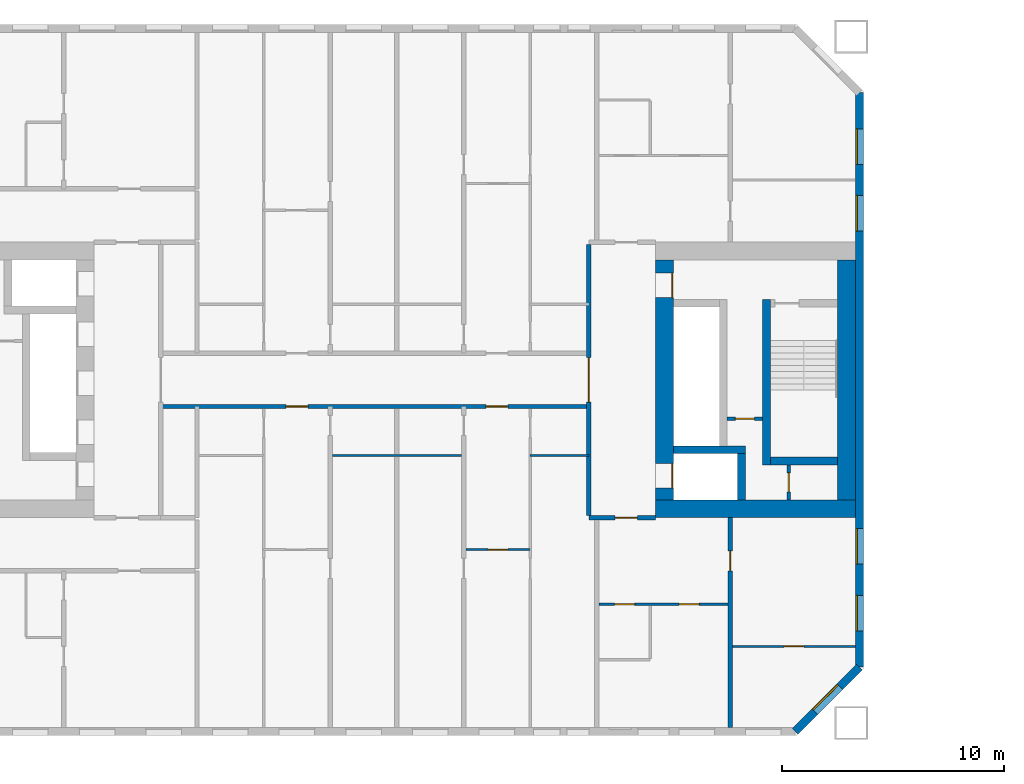
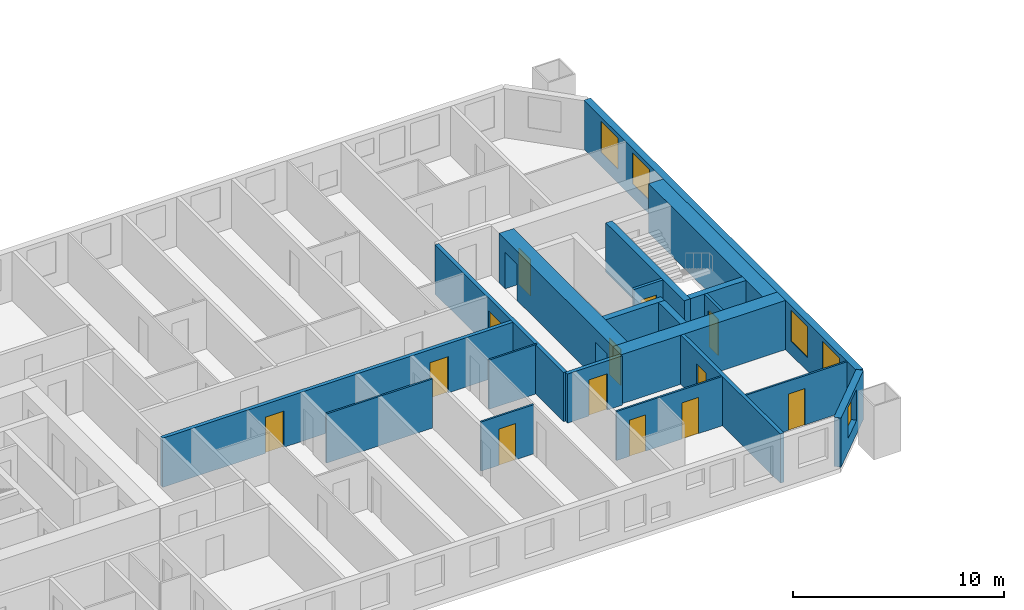
# One storey, part 7 of 17: 20 walls, 13 doors, 5 windows, 18 openings.
"""IFC4 building model written with IfcOpenShell, lengths in metres."""

from ifc_helpers import new_model, si_unit, direction, frame, frame_2d, origin, place, context, subcontext, project, spatial, rectangle, extrude, material, layer, layer_set, type_object, element, fill, save


model = new_model("IFC4")

# Units and contexts
model_context = context("Model", 3, precision=1e-05, world=origin(), true_north=direction((0.0, 1.0)))
body_context = subcontext(model_context, "Body", "Model", "MODEL_VIEW")
ifc_project = project(units=[si_unit("LENGTHUNIT", "METRE"), si_unit("AREAUNIT", "SQUARE_METRE"), si_unit("VOLUMEUNIT", "CUBIC_METRE"), si_unit("PLANEANGLEUNIT", "RADIAN"), si_unit("MASSUNIT", "GRAM", prefix="KILO")], contexts=[model_context])

# Site, building, storey
site_placement = place(None, origin())
site = spatial("IfcSite", under=ifc_project, at=site_placement, CompositionType="ELEMENT")
building_placement = place(site_placement, origin())
building = spatial("IfcBuilding", under=site, at=building_placement, Name="Tuart Gate Housing", CompositionType="ELEMENT")
storey_placement = place(building_placement, frame((0.0, 0.0, 50.5)))
storey = spatial("IfcBuildingStorey", under=building, at=storey_placement, Name="L13", CompositionType="ELEMENT", Elevation=50.5)

# Wall, opening, window
ifc_material_1 = material(Name="Brick", Category="masonry")
ifc_layer_1 = layer(ifc_material_1, 0.360107421875)
ifc_layer_set_1 = layer_set([ifc_layer_1], Name="Brick pier and spandrel wall 360")
wall_type_1 = type_object("IfcWallType", Name="Brick pier and spandrel wall 360", PredefinedType="STANDARD", material=ifc_layer_set_1)
wall_1_placement = place(storey_placement, frame((72.92529296875, 54.179931640625, 0.0), z_axis=(0.0, 0.0, 1.0), x_axis=(0.707106781187, 0.707106781187, 0.0)))
wall_1 = element("IfcWall", 1, at=wall_1_placement, inside=storey, type_object=wall_type_1, Name="External wall A-SE L13", PredefinedType="STANDARD", context=body_context, shape_type="SweptSolid", body=[
    extrude(rectangle(XDim=4.09375, YDim=0.360107421875, at=frame_2d((2.046875, 0.0))), origin(), (0.0, 0.0, 1.0), 2.85009765625),
])
opening_1_placement = place(wall_1_placement, frame((1.2470703125, 0.0, 0.800048828125)))
opening_1 = element("IfcOpeningElement", 2, at=opening_1_placement, cuts=wall_1, Name="Opening W1", PredefinedType="OPENING", context=body_context, shape_type="SweptSolid", body=[
    extrude(rectangle(XDim=1.60009765625, YDim=1.800048828125, at=frame_2d((0.800048828125, 0.89990234375))), frame((0.0, 0.18994140625, 0.0), z_axis=(0.0, -1.0, 0.0), x_axis=(1.0, 0.0, 0.0)), (0.0, 0.0, 1.0), 0.380126953125),
])
ifc_material_2 = material(Name="Aluminium frame with clear glass", Category="aluminium")
window_type = type_object("IfcWindowType", Name="Punched window 1600 x 1800", PartitioningType="SINGLE_PANEL", PredefinedType="WINDOW", material=ifc_material_2)
window_1_placement = place(opening_1_placement, origin())
window_1 = element("IfcWindow", 3, at=window_1_placement, inside=storey, type_object=window_type, Name="Window W1", OverallHeight=1.800048828125, OverallWidth=1.60009765625, PartitioningType="SINGLE_PANEL", PredefinedType="WINDOW", context=body_context, shape_type="SweptSolid", body=[
    extrude(rectangle(XDim=1.60009765625, YDim=1.800048828125, at=frame_2d((0.800048828125, 0.89990234375))), frame((0.0, 0.150146484375, 0.0), z_axis=(0.0, -1.0, 0.0), x_axis=(1.0, 0.0, 0.0)), (0.0, 0.0, 1.0), 0.06005859375),
])
fill(opening_1, window_1)

# Wall, openings, windows
wall_2_placement = place(storey_placement, frame((75.820068359375, 57.07470703125, 0.0), z_axis=(0.0, 0.0, 1.0), x_axis=(0.0, 1.0, 0.0)))
wall_2 = element("IfcWall", 4, at=wall_2_placement, inside=storey, type_object=wall_type_1, Name="External wall A-E L13", PredefinedType="STANDARD", context=body_context, shape_type="SweptSolid", body=[
    extrude(rectangle(XDim=25.850830078125, YDim=0.360107421875, at=frame_2d((12.92529296875, 0.0))), origin(), (0.0, 0.0, 1.0), 2.85009765625),
])
opening_2_placement = place(wall_2_placement, frame((1.62548828125, 0.0, 0.800048828125)))
opening_2 = element("IfcOpeningElement", 5, at=opening_2_placement, cuts=wall_2, Name="Opening W1", PredefinedType="OPENING", context=body_context, shape_type="SweptSolid", body=[
    extrude(rectangle(XDim=1.60009765625, YDim=1.800048828125, at=frame_2d((0.800048828125, 0.89990234375))), frame((0.0, 0.18994140625, 0.0), z_axis=(0.0, -1.0, 0.0), x_axis=(1.0, 0.0, 0.0)), (0.0, 0.0, 1.0), 0.380126953125),
])
opening_3_placement = place(wall_2_placement, frame((4.62548828125, 0.0, 0.800048828125)))
opening_3 = element("IfcOpeningElement", 6, at=opening_3_placement, cuts=wall_2, Name="Opening W1", PredefinedType="OPENING", context=body_context, shape_type="SweptSolid", body=[
    extrude(rectangle(XDim=1.60009765625, YDim=1.800048828125, at=frame_2d((0.800048828125, 0.89990234375))), frame((0.0, 0.18994140625, 0.0), z_axis=(0.0, -1.0, 0.0), x_axis=(1.0, 0.0, 0.0)), (0.0, 0.0, 1.0), 0.380126953125),
])
opening_4_placement = place(wall_2_placement, frame((19.62548828125, 0.0, 0.800048828125)))
opening_4 = element("IfcOpeningElement", 7, at=opening_4_placement, cuts=wall_2, Name="Opening W1", PredefinedType="OPENING", context=body_context, shape_type="SweptSolid", body=[
    extrude(rectangle(XDim=1.60009765625, YDim=1.800048828125, at=frame_2d((0.800048828125, 0.89990234375))), frame((0.0, 0.18994140625, 0.0), z_axis=(0.0, -1.0, 0.0), x_axis=(1.0, 0.0, 0.0)), (0.0, 0.0, 1.0), 0.380126953125),
])
opening_5_placement = place(wall_2_placement, frame((22.62548828125, 0.0, 0.800048828125)))
opening_5 = element("IfcOpeningElement", 8, at=opening_5_placement, cuts=wall_2, Name="Opening W1", PredefinedType="OPENING", context=body_context, shape_type="SweptSolid", body=[
    extrude(rectangle(XDim=1.60009765625, YDim=1.800048828125, at=frame_2d((0.800048828125, 0.89990234375))), frame((0.0, 0.18994140625, 0.0), z_axis=(0.0, -1.0, 0.0), x_axis=(1.0, 0.0, 0.0)), (0.0, 0.0, 1.0), 0.380126953125),
])
window_2_placement = place(opening_2_placement, origin())
window_2 = element("IfcWindow", 9, at=window_2_placement, inside=storey, type_object=window_type, Name="Window W1", OverallHeight=1.800048828125, OverallWidth=1.60009765625, PartitioningType="SINGLE_PANEL", PredefinedType="WINDOW", context=body_context, shape_type="SweptSolid", body=[
    extrude(rectangle(XDim=1.60009765625, YDim=1.800048828125, at=frame_2d((0.800048828125, 0.89990234375))), frame((0.0, 0.150146484375, 0.0), z_axis=(0.0, -1.0, 0.0), x_axis=(1.0, 0.0, 0.0)), (0.0, 0.0, 1.0), 0.06005859375),
])
fill(opening_2, window_2)
window_3_placement = place(opening_3_placement, origin())
window_3 = element("IfcWindow", 10, at=window_3_placement, inside=storey, type_object=window_type, Name="Window W1", OverallHeight=1.800048828125, OverallWidth=1.60009765625, PartitioningType="SINGLE_PANEL", PredefinedType="WINDOW", context=body_context, shape_type="SweptSolid", body=[
    extrude(rectangle(XDim=1.60009765625, YDim=1.800048828125, at=frame_2d((0.800048828125, 0.89990234375))), frame((0.0, 0.150146484375, 0.0), z_axis=(0.0, -1.0, 0.0), x_axis=(1.0, 0.0, 0.0)), (0.0, 0.0, 1.0), 0.06005859375),
])
fill(opening_3, window_3)
window_4_placement = place(opening_4_placement, origin())
window_4 = element("IfcWindow", 11, at=window_4_placement, inside=storey, type_object=window_type, Name="Window W1", OverallHeight=1.800048828125, OverallWidth=1.60009765625, PartitioningType="SINGLE_PANEL", PredefinedType="WINDOW", context=body_context, shape_type="SweptSolid", body=[
    extrude(rectangle(XDim=1.60009765625, YDim=1.800048828125, at=frame_2d((0.800048828125, 0.89990234375))), frame((0.0, 0.150146484375, 0.0), z_axis=(0.0, -1.0, 0.0), x_axis=(1.0, 0.0, 0.0)), (0.0, 0.0, 1.0), 0.06005859375),
])
fill(opening_4, window_4)
window_5_placement = place(opening_5_placement, origin())
window_5 = element("IfcWindow", 12, at=window_5_placement, inside=storey, type_object=window_type, Name="Window W1", OverallHeight=1.800048828125, OverallWidth=1.60009765625, PartitioningType="SINGLE_PANEL", PredefinedType="WINDOW", context=body_context, shape_type="SweptSolid", body=[
    extrude(rectangle(XDim=1.60009765625, YDim=1.800048828125, at=frame_2d((0.800048828125, 0.89990234375))), frame((0.0, 0.150146484375, 0.0), z_axis=(0.0, -1.0, 0.0), x_axis=(1.0, 0.0, 0.0)), (0.0, 0.0, 1.0), 0.06005859375),
])
fill(opening_5, window_5)

# Wall, opening, door
ifc_material_3 = material(Name="Plasterboard partition")
ifc_layer_2 = layer(ifc_material_3, 0.14990234375)
ifc_layer_set_2 = layer_set([ifc_layer_2], Name="Core partition 150")
wall_type_2 = type_object("IfcWallType", Name="Core partition 150", PredefinedType="PARTITIONING", material=ifc_layer_set_2)
wall_3_placement = place(storey_placement, frame((69.864990234375, 68.25, 0.0), z_axis=(0.0, 0.0, 1.0), x_axis=(1.0, 0.0, 0.0)))
wall_3 = element("IfcWall", 13, at=wall_3_placement, inside=storey, type_object=wall_type_2, Name="Core partition AG.3", PredefinedType="PARTITIONING", context=body_context, shape_type="SweptSolid", body=[
    extrude(rectangle(XDim=1.60009765625, YDim=0.14990234375, at=frame_2d((0.800048828125, 0.0))), origin(), (0.0, 0.0, 1.0), 2.85009765625),
])
opening_6_placement = place(wall_3_placement, frame((0.375, 0.0, 0.0)))
opening_6 = element("IfcOpeningElement", 14, at=opening_6_placement, cuts=wall_3, Name="Opening D628", PredefinedType="OPENING", context=body_context, shape_type="SweptSolid", body=[
    extrude(rectangle(XDim=0.85009765625, YDim=2.10009765625, at=frame_2d((0.425048828125, 1.050048828125))), frame((0.0, 0.0849609375, 0.0), z_axis=(0.0, -1.0, 0.0), x_axis=(1.0, 0.0, 0.0)), (0.0, 0.0, 1.0), 0.169921875),
])
ifc_material_4 = material(Name="Steel fire door", Category="steel")
door_type_1 = type_object("IfcDoorType", Name="Riser door 850 x 2100 RH", OperationType="SINGLE_SWING_RIGHT", PredefinedType="DOOR", material=ifc_material_4)
door_1_placement = place(opening_6_placement, frame((0.85009765625, 0.0, 0.0), z_axis=(0.0, 0.0, 1.0), x_axis=(-1.0, 0.0, 0.0)))
door_1 = element("IfcDoor", 15, at=door_1_placement, inside=storey, type_object=door_type_1, Name="Service room door AG.E1", OperationType="SINGLE_SWING_RIGHT", OverallHeight=2.10009765625, OverallWidth=0.85009765625, PredefinedType="DOOR", context=body_context, shape_type="SweptSolid", body=[
    extrude(rectangle(XDim=0.85009765625, YDim=2.10009765625, at=frame_2d((0.425048828125, 1.050048828125))), frame((0.0, 0.025146484375, 0.0), z_axis=(0.0, -1.0, 0.0), x_axis=(1.0, 0.0, 0.0)), (0.0, 0.0, 1.0), 0.050048828125),
])
fill(opening_6, door_1)

wall_4_placement = place(storey_placement, frame((72.639892578125, 64.60009765625, 0.0), z_axis=(0.0, 0.0, 1.0), x_axis=(0.0, 1.0, 0.0)))
wall_4 = element("IfcWall", 16, at=wall_4_placement, inside=storey, type_object=wall_type_2, Name="Core partition AG.9", PredefinedType="PARTITIONING", context=body_context, shape_type="SweptSolid", body=[
    extrude(rectangle(XDim=1.574951171875, YDim=0.14990234375, at=frame_2d((0.78759765625, 0.0))), origin(), (0.0, 0.0, 1.0), 2.85009765625),
])
opening_7_placement = place(wall_4_placement, frame((0.362548828125, 0.0, 0.0)))
opening_7 = element("IfcOpeningElement", 17, at=opening_7_placement, cuts=wall_4, Name="Opening D630", PredefinedType="OPENING", context=body_context, shape_type="SweptSolid", body=[
    extrude(rectangle(XDim=0.85009765625, YDim=2.10009765625, at=frame_2d((0.425048828125, 1.050048828125))), frame((0.0, 0.0849609375, 0.0), z_axis=(0.0, -1.0, 0.0), x_axis=(1.0, 0.0, 0.0)), (0.0, 0.0, 1.0), 0.169921875),
])
ifc_material_5 = material(Name="Steel fire door", Category="steel")
door_type_2 = type_object("IfcDoorType", Name="Service door 850 x 2100", OperationType="SINGLE_SWING_LEFT", PredefinedType="DOOR", material=ifc_material_5)
door_2_placement = place(opening_7_placement, origin())
door_2 = element("IfcDoor", 18, at=door_2_placement, inside=storey, type_object=door_type_2, Name="Service room door AG.E2", OperationType="SINGLE_SWING_LEFT", OverallHeight=2.10009765625, OverallWidth=0.85009765625, PredefinedType="DOOR", context=body_context, shape_type="SweptSolid", body=[
    extrude(rectangle(XDim=0.85009765625, YDim=2.10009765625, at=frame_2d((0.425048828125, 1.050048828125))), frame((0.0, 0.02490234375, 0.0), z_axis=(0.0, -1.0, 0.0), x_axis=(1.0, 0.0, 0.0)), (0.0, 0.0, 1.0), 0.050048828125),
])
fill(opening_7, door_2)

# Walls
ifc_material_6 = material(Name="Concrete C60", Category="concrete")
ifc_layer_3 = layer(ifc_material_6, 0.35009765625)
ifc_layer_set_3 = layer_set([ifc_layer_3], Name="Core wall 350 C60")
wall_type_3 = type_object("IfcWallType", Name="Core wall 350 C60", PredefinedType="SHEAR", material=ifc_layer_set_3)
wall_5_placement = place(storey_placement, frame((71.81494140625, 66.35009765625, 0.0), z_axis=(0.0, 0.0, 1.0), x_axis=(1.0, 0.0, 0.0)))
element("IfcWall", 19, at=wall_5_placement, inside=storey, type_object=wall_type_3, Name="Core wall AG.1", PredefinedType="SHEAR", context=body_context, shape_type="SweptSolid", body=[
    extrude(rectangle(XDim=3.025146484375, YDim=0.35009765625, at=frame_2d((1.5126953125, 0.0))), origin(), (0.0, 0.0, 1.0), 2.85009765625),
])
wall_6_placement = place(storey_placement, frame((67.43994140625, 66.85009765625, 0.0), z_axis=(0.0, 0.0, 1.0), x_axis=(1.0, 0.0, 0.0)))
element("IfcWall", 20, at=wall_6_placement, inside=storey, type_object=wall_type_3, Name="Core wall AG.2", PredefinedType="SHEAR", context=body_context, shape_type="SweptSolid", body=[
    extrude(rectangle(XDim=3.2451171875, YDim=0.35009765625, at=frame_2d((1.62255859375, 0.0))), origin(), (0.0, 0.0, 1.0), 2.85009765625),
])
wall_7_placement = place(storey_placement, frame((70.510009765625, 64.60009765625, 0.0), z_axis=(0.0, 0.0, 1.0), x_axis=(0.0, 1.0, 0.0)))
element("IfcWall", 21, at=wall_7_placement, inside=storey, type_object=wall_type_3, Name="Core wall AG.7", PredefinedType="SHEAR", context=body_context, shape_type="SweptSolid", body=[
    extrude(rectangle(XDim=2.074951171875, YDim=0.35009765625, at=frame_2d((1.03759765625, 0.0))), origin(), (0.0, 0.0, 1.0), 2.85009765625),
])
wall_8_placement = place(storey_placement, frame((71.639892578125, 66.175048828125, 0.0), z_axis=(0.0, 0.0, 1.0), x_axis=(0.0, 1.0, 0.0)))
element("IfcWall", 22, at=wall_8_placement, inside=storey, type_object=wall_type_3, Name="Core wall AG.8", PredefinedType="SHEAR", context=body_context, shape_type="SweptSolid", body=[
    extrude(rectangle(XDim=7.449951171875, YDim=0.35009765625, at=frame_2d((3.72509765625, 0.0))), origin(), (0.0, 0.0, 1.0), 2.85009765625),
])

# Wall, openings, doors
ifc_material_7 = material(Name="Concrete C60", Category="concrete")
ifc_layer_4 = layer(ifc_material_7, 0.800048828125)
ifc_layer_set_4 = layer_set([ifc_layer_4], Name="Core wall 800 C60")
wall_type_4 = type_object("IfcWallType", Name="Core wall 800 C60", PredefinedType="SHEAR", material=ifc_layer_set_4)
wall_9_placement = place(storey_placement, frame((67.0400390625, 64.60009765625, 0.0), z_axis=(0.0, 0.0, 1.0), x_axis=(0.0, 1.0, 0.0)))
wall_9 = element("IfcWall", 23, at=wall_9_placement, inside=storey, type_object=wall_type_4, Name="Core wall AG front", PredefinedType="SHEAR", context=body_context, shape_type="SweptSolid", body=[
    extrude(rectangle(XDim=10.7998046875, YDim=0.800048828125, at=frame_2d((5.39990234375, 0.0))), origin(), (0.0, 0.0, 1.0), 2.85009765625),
])
opening_8_placement = place(wall_9_placement, frame((0.52490234375, 0.0, 0.0)))
opening_8 = element("IfcOpeningElement", 24, at=opening_8_placement, cuts=wall_9, Name="Opening LD-FA1", PredefinedType="OPENING", context=body_context, shape_type="SweptSolid", body=[
    extrude(rectangle(XDim=1.10009765625, YDim=2.10009765625, at=frame_2d((0.550048828125, 1.050048828125))), frame((0.0, 0.409912109375, 0.0), z_axis=(0.0, -1.0, 0.0), x_axis=(1.0, 0.0, 0.0)), (0.0, 0.0, 1.0), 0.820068359375),
])
opening_9_placement = place(wall_9_placement, frame((9.10009765625, 0.0, 0.0)))
opening_9 = element("IfcOpeningElement", 25, at=opening_9_placement, cuts=wall_9, Name="Opening D625", PredefinedType="OPENING", context=body_context, shape_type="SweptSolid", body=[
    extrude(rectangle(XDim=1.10009765625, YDim=2.10009765625, at=frame_2d((0.550048828125, 1.050048828125))), frame((0.0, 0.409912109375, 0.0), z_axis=(0.0, -1.0, 0.0), x_axis=(1.0, 0.0, 0.0)), (0.0, 0.0, 1.0), 0.820068359375),
])
ifc_material_8 = material(Name="Stainless steel", Category="steel")
door_type_3 = type_object("IfcDoorType", Name="Landing door 1100 x 2100", OperationType="DOUBLE_DOOR_SLIDING", PredefinedType="DOOR", material=ifc_material_8)
door_3_placement = place(opening_8_placement, origin())
door_3 = element("IfcDoor", 26, at=door_3_placement, inside=storey, type_object=door_type_3, Name="Lift landing door FA1", OperationType="DOUBLE_DOOR_SLIDING", OverallHeight=2.10009765625, OverallWidth=1.10009765625, PredefinedType="DOOR", context=body_context, shape_type="SweptSolid", body=[
    extrude(rectangle(XDim=1.10009765625, YDim=2.10009765625, at=frame_2d((0.550048828125, 1.050048828125))), frame((0.0, -0.3349609375, 0.0), z_axis=(0.0, -1.0, 0.0), x_axis=(1.0, 0.0, 0.0)), (0.0, 0.0, 1.0), 0.050048828125),
])
fill(opening_8, door_3)
ifc_material_9 = material(Name="Steel fire door", Category="steel")
door_type_4 = type_object("IfcDoorType", Name="Lobby door 1100 x 2100 RH", OperationType="SINGLE_SWING_RIGHT", PredefinedType="DOOR", material=ifc_material_9)
door_4_placement = place(opening_9_placement, frame((1.10009765625, 0.0, 0.0), z_axis=(0.0, 0.0, 1.0), x_axis=(-1.0, 0.0, 0.0)))
door_4 = element("IfcDoor", 27, at=door_4_placement, inside=storey, type_object=door_type_4, Name="Lobby entry door AG.EN", OperationType="SINGLE_SWING_RIGHT", OverallHeight=2.10009765625, OverallWidth=1.10009765625, PredefinedType="DOOR", context=body_context, shape_type="SweptSolid", body=[
    extrude(rectangle(XDim=1.10009765625, YDim=2.10009765625, at=frame_2d((0.550048828125, 1.050048828125))), frame((0.0, 0.385009765625, 0.0), z_axis=(0.0, -1.0, 0.0), x_axis=(1.0, 0.0, 0.0)), (0.0, 0.0, 1.0), 0.050048828125),
])
fill(opening_9, door_4)

# Walls
wall_10_placement = place(storey_placement, frame((75.239990234375, 64.60009765625, 0.0), z_axis=(0.0, 0.0, 1.0), x_axis=(0.0, 1.0, 0.0)))
element("IfcWall", 28, at=wall_10_placement, inside=storey, type_object=wall_type_4, Name="Core wall AG back", PredefinedType="SHEAR", context=body_context, shape_type="SweptSolid", body=[
    extrude(rectangle(XDim=10.7998046875, YDim=0.800048828125, at=frame_2d((5.39990234375, 0.0))), origin(), (0.0, 0.0, 1.0), 2.85009765625),
])
wall_11_placement = place(storey_placement, frame((66.639892578125, 64.199951171875, 0.0), z_axis=(0.0, 0.0, 1.0), x_axis=(1.0, 0.0, 0.0)))
element("IfcWall", 29, at=wall_11_placement, inside=storey, type_object=wall_type_4, Name="Core wall AG south", PredefinedType="SHEAR", context=body_context, shape_type="SweptSolid", body=[
    extrude(rectangle(XDim=9.0, YDim=0.800048828125, at=frame_2d((4.5, 0.0))), origin(), (0.0, 0.0, 1.0), 2.85009765625),
])

# Wall, openings, doors
ifc_material_10 = material(Name="Concrete masonry 15 MPa", Category="masonry")
ifc_layer_5 = layer(ifc_material_10, 0.199951171875)
ifc_layer_set_5 = layer_set([ifc_layer_5], Name="Corridor wall masonry 200")
wall_type_5 = type_object("IfcWallType", Name="Corridor wall masonry 200", PredefinedType="PARTITIONING", material=ifc_layer_set_5)
wall_12_placement = place(storey_placement, frame((44.360107421875, 68.800048828125, 0.0), z_axis=(0.0, 0.0, 1.0), x_axis=(1.0, 0.0, 0.0)))
wall_12 = element("IfcWall", 30, at=wall_12_placement, inside=storey, type_object=wall_type_5, Name="Corridor wall masonry 200", PredefinedType="PARTITIONING", context=body_context, shape_type="SweptSolid", body=[
    extrude(rectangle(XDim=19.27978515625, YDim=0.199951171875, at=frame_2d((9.639892578125, 0.0))), origin(), (0.0, 0.0, 1.0), 2.85009765625),
])
opening_10_placement = place(wall_12_placement, frame((14.639892578125, 0.0, 0.0)))
opening_10 = element("IfcOpeningElement", 31, at=opening_10_placement, cuts=wall_12, Name="Opening D626", PredefinedType="OPENING", context=body_context, shape_type="SweptSolid", body=[
    extrude(rectangle(XDim=1.0, YDim=2.10009765625, at=frame_2d((0.5, 1.050048828125))), frame((0.0, 0.10986328125, 0.0), z_axis=(0.0, -1.0, 0.0), x_axis=(1.0, 0.0, 0.0)), (0.0, 0.0, 1.0), 0.219970703125),
])
opening_11_placement = place(wall_12_placement, frame((5.639892578125, 0.0, 0.0)))
opening_11 = element("IfcOpeningElement", 32, at=opening_11_placement, cuts=wall_12, Name="Opening D627", PredefinedType="OPENING", context=body_context, shape_type="SweptSolid", body=[
    extrude(rectangle(XDim=1.0, YDim=2.10009765625, at=frame_2d((0.5, 1.050048828125))), frame((0.0, 0.10986328125, 0.0), z_axis=(0.0, -1.0, 0.0), x_axis=(1.0, 0.0, 0.0)), (0.0, 0.0, 1.0), 0.219970703125),
])
ifc_material_11 = material(Name="Timber door leaf in steel frame", Category="steel")
door_type_5 = type_object("IfcDoorType", Name="Flat entrance door 1000 RH", OperationType="SINGLE_SWING_RIGHT", PredefinedType="DOOR", material=ifc_material_11)
door_5_placement = place(opening_10_placement, frame((1.0, 0.0, 0.0), z_axis=(0.0, 0.0, 1.0), x_axis=(-1.0, 0.0, 0.0)))
door_5 = element("IfcDoor", 33, at=door_5_placement, inside=storey, type_object=door_type_5, Name="Flat entrance door", OperationType="SINGLE_SWING_RIGHT", OverallHeight=2.10009765625, OverallWidth=1.0, PredefinedType="DOOR", context=body_context, shape_type="SweptSolid", body=[
    extrude(rectangle(XDim=1.0, YDim=2.10009765625, at=frame_2d((0.5, 1.050048828125))), frame((0.0, 0.025146484375, 0.0), z_axis=(0.0, -1.0, 0.0), x_axis=(1.0, 0.0, 0.0)), (0.0, 0.0, 1.0), 0.050048828125),
])
fill(opening_10, door_5)
door_6_placement = place(opening_11_placement, frame((1.0, 0.0, 0.0), z_axis=(0.0, 0.0, 1.0), x_axis=(-1.0, 0.0, 0.0)))
door_6 = element("IfcDoor", 34, at=door_6_placement, inside=storey, type_object=door_type_5, Name="Flat entrance door", OperationType="SINGLE_SWING_RIGHT", OverallHeight=2.10009765625, OverallWidth=1.0, PredefinedType="DOOR", context=body_context, shape_type="SweptSolid", body=[
    extrude(rectangle(XDim=1.0, YDim=2.10009765625, at=frame_2d((0.5, 1.050048828125))), frame((0.0, 0.025146484375, 0.0), z_axis=(0.0, -1.0, 0.0), x_axis=(1.0, 0.0, 0.0)), (0.0, 0.0, 1.0), 0.050048828125),
])
fill(opening_11, door_6)

# Wall, opening, door
ifc_material_12 = material(Name="Concrete masonry 15 MPa", Category="masonry")
ifc_layer_6 = layer(ifc_material_12, 0.199951171875)
ifc_layer_set_6 = layer_set([ifc_layer_6], Name="Enclosure wall masonry 200")
wall_type_6 = type_object("IfcWallType", Name="Enclosure wall masonry 200", PredefinedType="PARTITIONING", material=ifc_layer_set_6)
wall_13_placement = place(storey_placement, frame((63.639892578125, 63.800048828125, 0.0), z_axis=(0.0, 0.0, 1.0), x_axis=(1.0, 0.0, 0.0)))
wall_13 = element("IfcWall", 35, at=wall_13_placement, inside=storey, type_object=wall_type_6, Name="Enclosure wall masonry 200", PredefinedType="PARTITIONING", context=body_context, shape_type="SweptSolid", body=[
    extrude(rectangle(XDim=3.0, YDim=0.199951171875, at=frame_2d((1.5, 0.0))), origin(), (0.0, 0.0, 1.0), 2.85009765625),
])
opening_12_placement = place(wall_13_placement, frame((1.179931640625, 0.0, 0.0)))
opening_12 = element("IfcOpeningElement", 36, at=opening_12_placement, cuts=wall_13, Name="Opening D633", PredefinedType="OPENING", context=body_context, shape_type="SweptSolid", body=[
    extrude(rectangle(XDim=1.0, YDim=2.10009765625, at=frame_2d((0.5, 1.050048828125))), frame((0.0, 0.10986328125, 0.0), z_axis=(0.0, -1.0, 0.0), x_axis=(1.0, 0.0, 0.0)), (0.0, 0.0, 1.0), 0.219970703125),
])
door_7_placement = place(opening_12_placement, frame((1.0, 0.0, 0.0), z_axis=(0.0, 0.0, 1.0), x_axis=(-1.0, 0.0, 0.0)))
door_7 = element("IfcDoor", 37, at=door_7_placement, inside=storey, type_object=door_type_5, Name="Flat entrance door", OperationType="SINGLE_SWING_RIGHT", OverallHeight=2.10009765625, OverallWidth=1.0, PredefinedType="DOOR", context=body_context, shape_type="SweptSolid", body=[
    extrude(rectangle(XDim=1.0, YDim=2.10009765625, at=frame_2d((0.5, 1.050048828125))), frame((0.0, 0.025146484375, 0.0), z_axis=(0.0, -1.0, 0.0), x_axis=(1.0, 0.0, 0.0)), (0.0, 0.0, 1.0), 0.050048828125),
])
fill(opening_12, door_7)

ifc_material_13 = material(Name="Plasterboard partition")
ifc_layer_7 = layer(ifc_material_13, 0.199951171875)
ifc_layer_set_7 = layer_set([ifc_layer_7], Name="Lobby wall 200")
wall_type_7 = type_object("IfcWallType", Name="Lobby wall 200", PredefinedType="PARTITIONING", material=ifc_layer_set_7)
wall_14_placement = place(storey_placement, frame((63.639892578125, 63.89990234375, 0.0), z_axis=(0.0, 0.0, 1.0), x_axis=(0.0, 1.0, 0.0)))
wall_14 = element("IfcWall", 38, at=wall_14_placement, inside=storey, type_object=wall_type_7, Name="Lift lobby wall AG", PredefinedType="PARTITIONING", context=body_context, shape_type="SweptSolid", body=[
    extrude(rectangle(XDim=12.2001953125, YDim=0.199951171875, at=frame_2d((6.10009765625, 0.0))), origin(), (0.0, 0.0, 1.0), 2.85009765625),
])
opening_13_placement = place(wall_14_placement, frame((5.10009765625, 0.0, 0.0)))
opening_13 = element("IfcOpeningElement", 39, at=opening_13_placement, cuts=wall_14, Name="Opening D624", PredefinedType="OPENING", context=body_context, shape_type="SweptSolid", body=[
    extrude(rectangle(XDim=2.0, YDim=2.10009765625, at=frame_2d((1.0, 1.050048828125))), frame((0.0, 0.10986328125, 0.0), z_axis=(0.0, -1.0, 0.0), x_axis=(1.0, 0.0, 0.0)), (0.0, 0.0, 1.0), 0.219970703125),
])
ifc_material_14 = material(Name="Steel fire door", Category="steel")
door_type_6 = type_object("IfcDoorType", Name="Smoke door 2000 x 2100", OperationType="DOUBLE_DOOR_SINGLE_SWING", PredefinedType="DOOR", material=ifc_material_14)
door_8_placement = place(opening_13_placement, frame((2.0, 0.0, 0.0), z_axis=(0.0, 0.0, 1.0), x_axis=(-1.0, 0.0, 0.0)))
door_8 = element("IfcDoor", 40, at=door_8_placement, inside=storey, type_object=door_type_6, Name="Lift lobby smoke door AG", OperationType="DOUBLE_DOOR_SINGLE_SWING", OverallHeight=2.10009765625, OverallWidth=2.0, PredefinedType="DOOR", context=body_context, shape_type="SweptSolid", body=[
    extrude(rectangle(XDim=2.0, YDim=2.10009765625, at=frame_2d((1.0, 1.050048828125))), frame((0.0, 0.025146484375, 0.0), z_axis=(0.0, -1.0, 0.0), x_axis=(1.0, 0.0, 0.0)), (0.0, 0.0, 1.0), 0.050048828125),
])
fill(opening_13, door_8)

ifc_material_15 = material(Name="Gypsum board on steel studs", Category="steel")
ifc_layer_8 = layer(ifc_material_15, 0.10009765625)
ifc_layer_set_8 = layer_set([ifc_layer_8], Name="Partition 100")
wall_type_8 = type_object("IfcWallType", Name="Partition 100", PredefinedType="PARTITIONING", material=ifc_layer_set_8)
wall_15_placement = place(storey_placement, frame((70.10009765625, 58.0, 0.0), z_axis=(0.0, 0.0, 1.0), x_axis=(1.0, 0.0, 0.0)))
wall_15 = element("IfcWall", 41, at=wall_15_placement, inside=storey, type_object=wall_type_8, Name="Partition 100", PredefinedType="PARTITIONING", context=body_context, shape_type="SweptSolid", body=[
    extrude(rectangle(XDim=5.539794921875, YDim=0.10009765625, at=frame_2d((2.77001953125, 0.0))), origin(), (0.0, 0.0, 1.0), 2.85009765625),
])
opening_14_placement = place(wall_15_placement, frame((2.320068359375, 0.0, 0.0)))
opening_14 = element("IfcOpeningElement", 42, at=opening_14_placement, cuts=wall_15, Name="Opening D651", PredefinedType="OPENING", context=body_context, shape_type="SweptSolid", body=[
    extrude(rectangle(XDim=0.89990234375, YDim=2.10009765625, at=frame_2d((0.449951171875, 1.050048828125))), frame((0.0, 0.06005859375, 0.0), z_axis=(0.0, -1.0, 0.0), x_axis=(1.0, 0.0, 0.0)), (0.0, 0.0, 1.0), 0.1201171875),
])
ifc_material_16 = material(Name="Timber door leaf in steel frame", Category="steel")
door_type_7 = type_object("IfcDoorType", Name="Internal door 900", OperationType="SINGLE_SWING_LEFT", PredefinedType="DOOR", material=ifc_material_16)
door_9_placement = place(opening_14_placement, frame((0.89990234375, 0.0, 0.0), z_axis=(0.0, 0.0, 1.0), x_axis=(-1.0, 0.0, 0.0)))
door_9 = element("IfcDoor", 43, at=door_9_placement, inside=storey, type_object=door_type_7, Name="Internal door", OperationType="SINGLE_SWING_LEFT", OverallHeight=2.10009765625, OverallWidth=0.89990234375, PredefinedType="DOOR", context=body_context, shape_type="SweptSolid", body=[
    extrude(rectangle(XDim=0.89990234375, YDim=2.10009765625, at=frame_2d((0.449951171875, 1.050048828125))), frame((0.0, 0.025146484375, 0.0), z_axis=(0.0, -1.0, 0.0), x_axis=(1.0, 0.0, 0.0)), (0.0, 0.0, 1.0), 0.050048828125),
])
fill(opening_14, door_9)

# Wall, openings, doors
wall_16_placement = place(storey_placement, frame((64.10009765625, 59.89990234375, 0.0), z_axis=(0.0, 0.0, 1.0), x_axis=(1.0, 0.0, 0.0)))
wall_16 = element("IfcWall", 44, at=wall_16_placement, inside=storey, type_object=wall_type_8, Name="Partition 100", PredefinedType="PARTITIONING", context=body_context, shape_type="SweptSolid", body=[
    extrude(rectangle(XDim=5.7998046875, YDim=0.10009765625, at=frame_2d((2.89990234375, 0.0))), origin(), (0.0, 0.0, 1.0), 2.85009765625),
])
opening_15_placement = place(wall_16_placement, frame((3.60009765625, 0.0, 0.0)))
opening_15 = element("IfcOpeningElement", 45, at=opening_15_placement, cuts=wall_16, Name="Opening D648", PredefinedType="OPENING", context=body_context, shape_type="SweptSolid", body=[
    extrude(rectangle(XDim=0.89990234375, YDim=2.10009765625, at=frame_2d((0.449951171875, 1.050048828125))), frame((0.0, 0.06005859375, 0.0), z_axis=(0.0, -1.0, 0.0), x_axis=(1.0, 0.0, 0.0)), (0.0, 0.0, 1.0), 0.1201171875),
])
opening_16_placement = place(wall_16_placement, frame((0.699951171875, 0.0, 0.0)))
opening_16 = element("IfcOpeningElement", 46, at=opening_16_placement, cuts=wall_16, Name="Opening D647", PredefinedType="OPENING", context=body_context, shape_type="SweptSolid", body=[
    extrude(rectangle(XDim=0.89990234375, YDim=2.10009765625, at=frame_2d((0.449951171875, 1.050048828125))), frame((0.0, 0.06005859375, 0.0), z_axis=(0.0, -1.0, 0.0), x_axis=(1.0, 0.0, 0.0)), (0.0, 0.0, 1.0), 0.1201171875),
])
ifc_material_17 = material(Name="Timber door leaf in steel frame", Category="steel")
door_type_8 = type_object("IfcDoorType", Name="Bathroom door 900", OperationType="SINGLE_SWING_LEFT", PredefinedType="DOOR", material=ifc_material_17)
door_10_placement = place(opening_16_placement, frame((0.89990234375, 0.0, 0.0), z_axis=(0.0, 0.0, 1.0), x_axis=(-1.0, 0.0, 0.0)))
door_10 = element("IfcDoor", 47, at=door_10_placement, inside=storey, type_object=door_type_8, Name="Bathroom door", OperationType="SINGLE_SWING_LEFT", OverallHeight=2.10009765625, OverallWidth=0.89990234375, PredefinedType="DOOR", context=body_context, shape_type="SweptSolid", body=[
    extrude(rectangle(XDim=0.89990234375, YDim=2.10009765625, at=frame_2d((0.449951171875, 1.050048828125))), frame((0.0, 0.025146484375, 0.0), z_axis=(0.0, -1.0, 0.0), x_axis=(1.0, 0.0, 0.0)), (0.0, 0.0, 1.0), 0.050048828125),
])
fill(opening_16, door_10)
ifc_material_18 = material(Name="Timber door leaf in steel frame", Category="steel")
door_type_9 = type_object("IfcDoorType", Name="Internal door 900 RH", OperationType="SINGLE_SWING_RIGHT", PredefinedType="DOOR", material=ifc_material_18)
door_11_placement = place(opening_15_placement, frame((0.89990234375, 0.0, 0.0), z_axis=(0.0, 0.0, 1.0), x_axis=(-1.0, 0.0, 0.0)))
door_11 = element("IfcDoor", 48, at=door_11_placement, inside=storey, type_object=door_type_9, Name="Internal door", OperationType="SINGLE_SWING_RIGHT", OverallHeight=2.10009765625, OverallWidth=0.89990234375, PredefinedType="DOOR", context=body_context, shape_type="SweptSolid", body=[
    extrude(rectangle(XDim=0.89990234375, YDim=2.10009765625, at=frame_2d((0.449951171875, 1.050048828125))), frame((0.0, 0.025146484375, 0.0), z_axis=(0.0, -1.0, 0.0), x_axis=(1.0, 0.0, 0.0)), (0.0, 0.0, 1.0), 0.050048828125),
])
fill(opening_15, door_11)

# Wall, opening, door
wall_17_placement = place(storey_placement, frame((58.10009765625, 62.360107421875, 0.0), z_axis=(0.0, 0.0, 1.0), x_axis=(1.0, 0.0, 0.0)))
wall_17 = element("IfcWall", 49, at=wall_17_placement, inside=storey, type_object=wall_type_8, Name="Partition 100", PredefinedType="PARTITIONING", context=body_context, shape_type="SweptSolid", body=[
    extrude(rectangle(XDim=2.89990234375, YDim=0.10009765625, at=frame_2d((1.449951171875, 0.0))), origin(), (0.0, 0.0, 1.0), 2.85009765625),
])
opening_17_placement = place(wall_17_placement, frame((1.0, 0.0, 0.0)))
opening_17 = element("IfcOpeningElement", 50, at=opening_17_placement, cuts=wall_17, Name="Opening D635", PredefinedType="OPENING", context=body_context, shape_type="SweptSolid", body=[
    extrude(rectangle(XDim=0.89990234375, YDim=2.10009765625, at=frame_2d((0.449951171875, 1.050048828125))), frame((0.0, 0.06005859375, 0.0), z_axis=(0.0, -1.0, 0.0), x_axis=(1.0, 0.0, 0.0)), (0.0, 0.0, 1.0), 0.1201171875),
])
door_12_placement = place(opening_17_placement, origin())
door_12 = element("IfcDoor", 51, at=door_12_placement, inside=storey, type_object=door_type_9, Name="Internal door", OperationType="SINGLE_SWING_RIGHT", OverallHeight=2.10009765625, OverallWidth=0.89990234375, PredefinedType="DOOR", context=body_context, shape_type="SweptSolid", body=[
    extrude(rectangle(XDim=0.89990234375, YDim=2.10009765625, at=frame_2d((0.449951171875, 1.050048828125))), frame((0.0, 0.02490234375, 0.0), z_axis=(0.0, -1.0, 0.0), x_axis=(1.0, 0.0, 0.0)), (0.0, 0.0, 1.0), 0.050048828125),
])
fill(opening_17, door_12)

# Walls
wall_18_placement = place(storey_placement, frame((52.10009765625, 66.60009765625, 0.0), z_axis=(0.0, 0.0, 1.0), x_axis=(1.0, 0.0, 0.0)))
element("IfcWall", 52, at=wall_18_placement, inside=storey, type_object=wall_type_8, Name="Partition 100", PredefinedType="PARTITIONING", context=body_context, shape_type="SweptSolid", body=[
    extrude(rectangle(XDim=5.7998046875, YDim=0.10009765625, at=frame_2d((2.89990234375, 0.0))), origin(), (0.0, 0.0, 1.0), 2.85009765625),
])
wall_19_placement = place(storey_placement, frame((61.0, 66.60009765625, 0.0), z_axis=(0.0, 0.0, 1.0), x_axis=(1.0, 0.0, 0.0)))
element("IfcWall", 53, at=wall_19_placement, inside=storey, type_object=wall_type_8, Name="Partition 100", PredefinedType="PARTITIONING", context=body_context, shape_type="SweptSolid", body=[
    extrude(rectangle(XDim=2.639892578125, YDim=0.10009765625, at=frame_2d((1.31982421875, 0.0))), origin(), (0.0, 0.0, 1.0), 2.85009765625),
])

# Wall, opening, door
ifc_material_19 = material(Name="Concrete C40", Category="concrete")
ifc_layer_9 = layer(ifc_material_19, 0.199951171875)
ifc_layer_set_9 = layer_set([ifc_layer_9], Name="Party wall concrete C40 200")
wall_type_9 = type_object("IfcWallType", Name="Party wall concrete C40 200", PredefinedType="SOLIDWALL", material=ifc_layer_set_9)
wall_20_placement = place(storey_placement, frame((70.0, 54.360107421875, 0.0), z_axis=(0.0, 0.0, 1.0), x_axis=(0.0, 1.0, 0.0)))
wall_20 = element("IfcWall", 54, at=wall_20_placement, inside=storey, type_object=wall_type_9, Name="Party wall concrete C40 200", PredefinedType="SOLIDWALL", context=body_context, shape_type="SweptSolid", body=[
    extrude(rectangle(XDim=9.43994140625, YDim=0.199951171875, at=frame_2d((4.719970703125, 0.0))), origin(), (0.0, 0.0, 1.0), 2.85009765625),
])
opening_18_placement = place(wall_20_placement, frame((7.0400390625, 0.0, 0.0)))
opening_18 = element("IfcOpeningElement", 55, at=opening_18_placement, cuts=wall_20, Name="Opening D650", PredefinedType="OPENING", context=body_context, shape_type="SweptSolid", body=[
    extrude(rectangle(XDim=0.89990234375, YDim=2.10009765625, at=frame_2d((0.449951171875, 1.050048828125))), frame((0.0, 0.10986328125, 0.0), z_axis=(0.0, -1.0, 0.0), x_axis=(1.0, 0.0, 0.0)), (0.0, 0.0, 1.0), 0.219970703125),
])
door_13_placement = place(opening_18_placement, origin())
door_13 = element("IfcDoor", 56, at=door_13_placement, inside=storey, type_object=door_type_7, Name="Internal door", OperationType="SINGLE_SWING_LEFT", OverallHeight=2.10009765625, OverallWidth=0.89990234375, PredefinedType="DOOR", context=body_context, shape_type="SweptSolid", body=[
    extrude(rectangle(XDim=0.89990234375, YDim=2.10009765625, at=frame_2d((0.449951171875, 1.050048828125))), frame((0.0, 0.02490234375, 0.0), z_axis=(0.0, -1.0, 0.0), x_axis=(1.0, 0.0, 0.0)), (0.0, 0.0, 1.0), 0.050048828125),
])
fill(opening_18, door_13)

save(model, "model.ifc")
